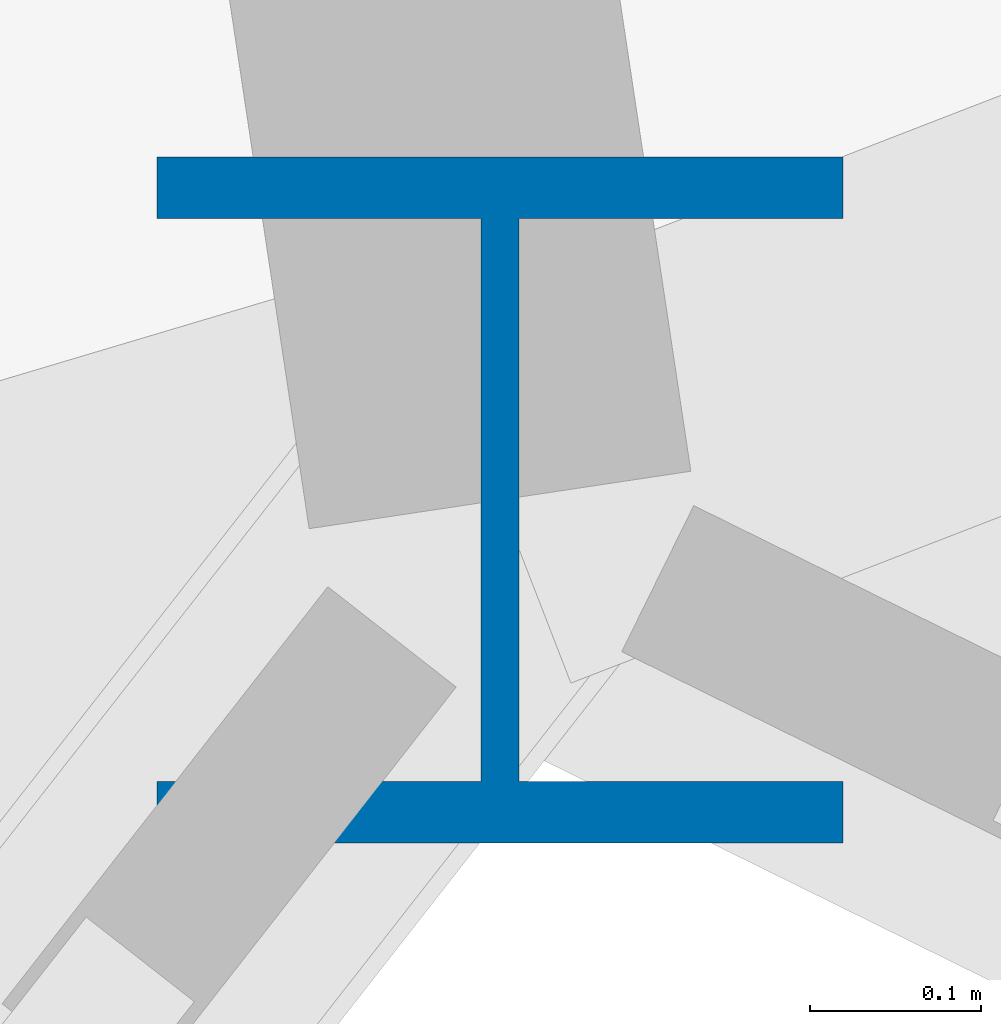
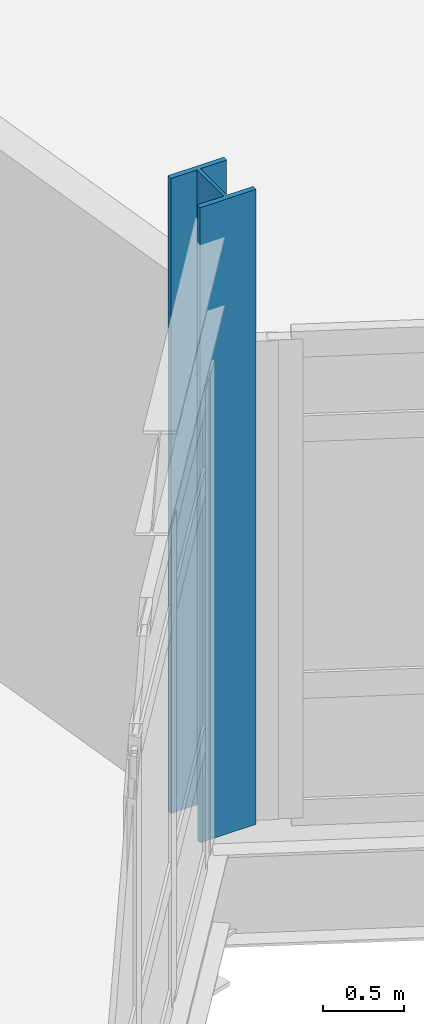
# One storey, part 5 of 134: 1 column.
"""IFC4 building model written with IfcOpenShell, lengths in metres."""

from ifc_helpers import new_model, si_unit, direction, frame, origin, origin_2d, place, context, subcontext, project, spatial, i_section, extrude, material, material_profile, profile_set, type_object, element, save


model = new_model("IFC4")

# Units and contexts
model_context = context("Model", 3, precision=1e-05, world=origin(), true_north=direction((0.0, 1.0)))
body_context = subcontext(model_context, "Body", "Model", "MODEL_VIEW")
ifc_project = project(units=[si_unit("LENGTHUNIT", "METRE"), si_unit("AREAUNIT", "SQUARE_METRE"), si_unit("VOLUMEUNIT", "CUBIC_METRE"), si_unit("PLANEANGLEUNIT", "RADIAN"), si_unit("MASSUNIT", "GRAM", prefix="KILO")], contexts=[model_context])

# Site, building, storey
site_placement = place(None, origin())
site = spatial("IfcSite", under=ifc_project, at=site_placement, CompositionType="ELEMENT")
building_placement = place(site_placement, origin())
building = spatial("IfcBuilding", under=site, at=building_placement, Name="Tameran Prism Museum", CompositionType="ELEMENT")
storey_placement = place(building_placement, frame((0.0, 0.0, 5.39990234375)))
storey = spatial("IfcBuildingStorey", under=building, at=storey_placement, Name="L01", CompositionType="ELEMENT", Elevation=5.39990234375)

# Column
ifc_material = material(Name="Steel Grade 350 (350 MPa)", Category="steel")
ifc_material_profile = material_profile(ifc_material, i_section(OverallWidth=0.39990234375, OverallDepth=0.39990234375, WebThickness=0.02197265625, FlangeThickness=0.035888671875, at=origin_2d()))
ifc_profile_set = profile_set([ifc_material_profile])
column_type = type_object("IfcColumnType", Name="COL-WC400", PredefinedType="COLUMN", material=ifc_profile_set)
column_placement = place(storey_placement, frame((51.0, 30.199951171875, 0.0), z_axis=(0.0, 0.0, 1.0), x_axis=(1.0, 0.0, 0.0)))
element("IfcColumn", 1, at=column_placement, inside=storey, type_object=column_type, Name="Column CV-27 L01", PredefinedType="COLUMN", context=body_context, shape_type="SweptSolid", body=[
    extrude(i_section(OverallWidth=0.39990234375, OverallDepth=0.39990234375, WebThickness=0.02197265625, FlangeThickness=0.035888671875, at=origin_2d()), origin(), (0.0, 0.0, 1.0), 4.800048828125),
])

save(model, "model.ifc")
